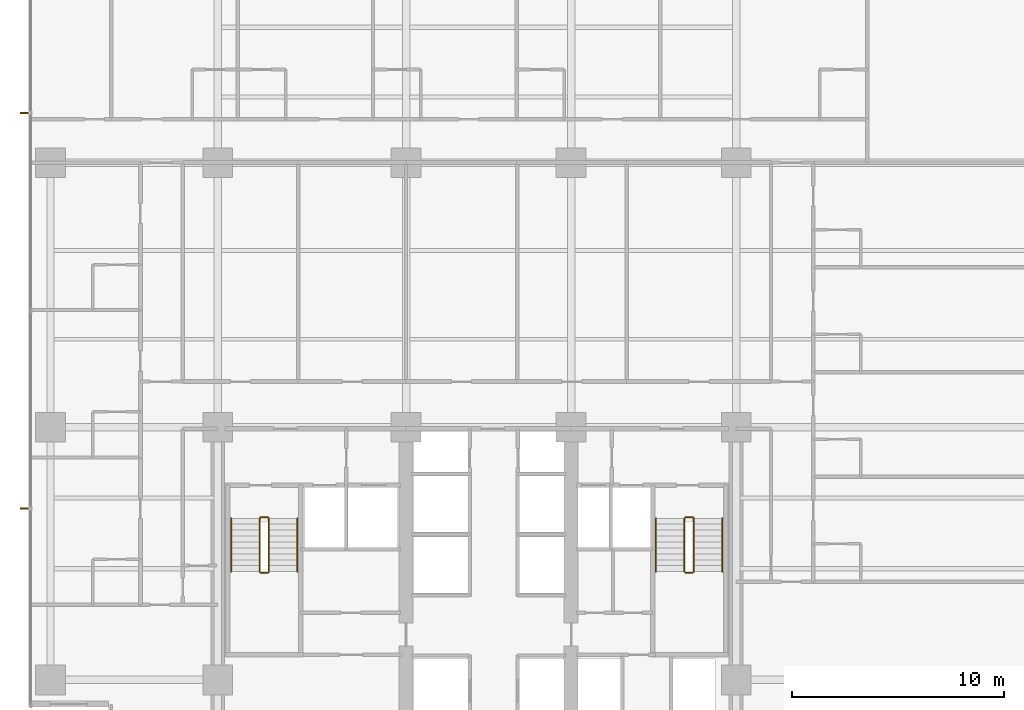
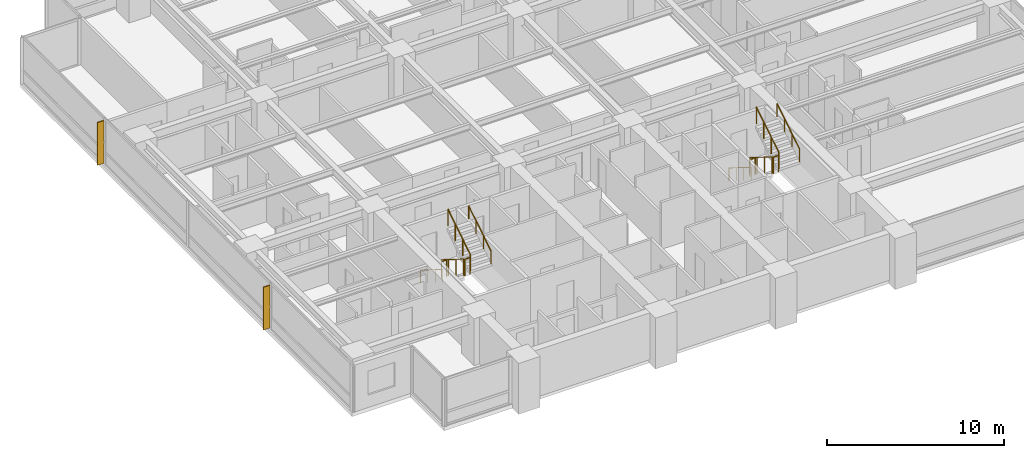
# One storey, part 15 of 16: 12 railings, 2 shading devices.
"""IFC4 building model written with IfcOpenShell, lengths in metres."""

from ifc_helpers import new_model, si_unit, direction, frame, origin, origin_2d, place, context, subcontext, project, spatial, polyline, circle, outline, extrude, material, layer, layer_set, type_object, element, save


model = new_model("IFC4")

# Units and contexts
model_context = context("Model", 3, precision=1e-05, world=origin(), true_north=direction((0.0, 1.0)))
body_context = subcontext(model_context, "Body", "Model", "MODEL_VIEW")
ifc_project = project(units=[si_unit("LENGTHUNIT", "METRE"), si_unit("AREAUNIT", "SQUARE_METRE"), si_unit("VOLUMEUNIT", "CUBIC_METRE"), si_unit("PLANEANGLEUNIT", "RADIAN"), si_unit("MASSUNIT", "GRAM", prefix="KILO")], contexts=[model_context])

# Site, building, storey
site_placement = place(None, origin())
site = spatial("IfcSite", under=ifc_project, at=site_placement, CompositionType="ELEMENT")
building_placement = place(site_placement, origin())
building = spatial("IfcBuilding", under=site, at=building_placement, Name="Qalmaran Belvedere Hotel", CompositionType="ELEMENT")
storey_placement = place(building_placement, frame((0.0, 0.0, 36.89990234375)))
storey = spatial("IfcBuildingStorey", under=building, at=storey_placement, Name="L08", CompositionType="ELEMENT", Elevation=36.89990234375)

# Shading devices
ifc_material_1 = material(Name="Anodised Bronze Aluminium", Category="aluminium")
ifc_layer = layer(ifc_material_1, 0.06494140625, Name="Anodised Bronze Aluminium")
ifc_layer_set = layer_set([ifc_layer], Name="Anodised Bronze Aluminium")
shading_device_type = type_object("IfcShadingDeviceType", Name="FIN-BRNZ-420", PredefinedType="USERDEFINED", material=ifc_layer_set)
shading_device_1_placement = place(storey_placement, frame((0.0, 0.0, 0.16015625)))
element("IfcShadingDevice", 1, at=shading_device_1_placement, inside=storey, type_object=shading_device_type, Name="L08 Bronze Fin 1", ObjectType="FIN", PredefinedType="USERDEFINED", context=body_context, shape_type="SweptSolid", body=[
    extrude(outline(polyline([(11.37744140625, 35.382568359375), (10.95751953125, 35.382568359375), (10.95751953125, 35.3173828125), (11.37744140625, 35.3173828125), (11.37744140625, 35.382568359375)])), origin(), (0.0, 0.0, 1.0), 2.93994140625),
])
shading_device_2_placement = place(storey_placement, frame((0.0, 0.0, 0.16015625)))
element("IfcShadingDevice", 2, at=shading_device_2_placement, inside=storey, type_object=shading_device_type, Name="L08 Bronze Fin 3", ObjectType="FIN", PredefinedType="USERDEFINED", context=body_context, shape_type="SweptSolid", body=[
    extrude(outline(polyline([(11.37744140625, 16.6826171875), (10.95751953125, 16.6826171875), (10.95751953125, 16.617431640625), (11.37744140625, 16.617431640625), (11.37744140625, 16.6826171875)])), origin(), (0.0, 0.0, 1.0), 2.93994140625),
])

# Railings
ifc_material_2 = material(Name="Stainless Steel 1.4401", Category="steel")
railing_type_1 = type_object("IfcRailingType", Name="RLG-STAIR-GUARD-1150", PredefinedType="GUARDRAIL", material=ifc_material_2)
railing_1_placement = place(storey_placement, frame((22.280029296875, 16.18994140625, 0.175048828125)))
element("IfcRailing", 3, at=railing_1_placement, inside=storey, type_object=railing_type_1, Name="L08 ST-1 stair guard 1", PredefinedType="GUARDRAIL", context=body_context, shape_type="SweptSolid", body=[
    extrude(circle(Radius=0.02392578125, at=origin_2d()), frame((0.0, 0.0, 1.1259765625), z_axis=(0.0, -0.848007534815, 0.529984170421), x_axis=(1.0, 0.0, 0.0)), (0.0, 0.0, 1.0), 2.9716796875),
    extrude(circle(Radius=0.02099609375, at=origin_2d()), origin(), (0.0, 0.0, 1.0), 1.101806640625),
    extrude(circle(Radius=0.02099609375, at=origin_2d()), frame((0.0, -0.840087890625, 0.52490234375)), (0.0, 0.0, 1.0), 1.101806640625),
    extrude(circle(Radius=0.02099609375, at=origin_2d()), frame((0.0, -1.679931640625, 1.050048828125)), (0.0, 0.0, 1.0), 1.101806640625),
    extrude(circle(Radius=0.02099609375, at=origin_2d()), frame((0.0, -2.52001953125, 1.574951171875)), (0.0, 0.0, 1.0), 1.101806640625),
])
railing_2_placement = place(storey_placement, frame((22.330078125, 13.6201171875, 1.75)))
element("IfcRailing", 4, at=railing_2_placement, inside=storey, type_object=railing_type_1, Name="L08 ST-1 stair guard 2", PredefinedType="GUARDRAIL", context=body_context, shape_type="SweptSolid", body=[
    extrude(circle(Radius=0.02392578125, at=origin_2d()), frame((0.0, 0.0, 1.1259765625), z_axis=(1.0, 0.0, 0.0), x_axis=(0.0, 1.0, 0.0)), (0.0, 0.0, 1.0), 0.33984375),
    extrude(circle(Radius=0.02099609375, at=origin_2d()), origin(), (0.0, 0.0, 1.0), 1.101806640625),
    extrude(circle(Radius=0.02099609375, at=origin_2d()), frame((0.33984375, 0.0, 0.0)), (0.0, 0.0, 1.0), 1.101806640625),
])
railing_3_placement = place(storey_placement, frame((22.719970703125, 13.669921875, 1.925048828125)))
element("IfcRailing", 5, at=railing_3_placement, inside=storey, type_object=railing_type_1, Name="L08 ST-1 stair guard 3", PredefinedType="GUARDRAIL", context=body_context, shape_type="SweptSolid", body=[
    extrude(circle(Radius=0.02392578125, at=origin_2d()), frame((0.0, 0.0, 1.1259765625), z_axis=(0.0, 0.848007534815, 0.529984170421), x_axis=(-1.0, 0.0, 0.0)), (0.0, 0.0, 1.0), 2.9716796875),
    extrude(circle(Radius=0.02099609375, at=origin_2d()), origin(), (0.0, 0.0, 1.0), 1.101806640625),
    extrude(circle(Radius=0.02099609375, at=origin_2d()), frame((0.0, 0.840087890625, 0.52490234375)), (0.0, 0.0, 1.0), 1.101806640625),
    extrude(circle(Radius=0.02099609375, at=origin_2d()), frame((0.0, 1.679931640625, 1.050048828125)), (0.0, 0.0, 1.0), 1.101806640625),
    extrude(circle(Radius=0.02099609375, at=origin_2d()), frame((0.0, 2.52001953125, 1.574951171875)), (0.0, 0.0, 1.0), 1.101806640625),
])
railing_4_placement = place(storey_placement, frame((22.330078125, 16.239990234375, 0.0)))
element("IfcRailing", 6, at=railing_4_placement, inside=storey, type_object=railing_type_1, Name="L08 ST-1 stair guard 4", PredefinedType="GUARDRAIL", context=body_context, shape_type="SweptSolid", body=[
    extrude(circle(Radius=0.02392578125, at=origin_2d()), frame((0.0, 0.0, 1.1259765625), z_axis=(1.0, 0.0, 0.0), x_axis=(0.0, 1.0, 0.0)), (0.0, 0.0, 1.0), 0.33984375),
    extrude(circle(Radius=0.02099609375, at=origin_2d()), origin(), (0.0, 0.0, 1.0), 1.101806640625),
    extrude(circle(Radius=0.02099609375, at=origin_2d()), frame((0.33984375, 0.0, 0.0)), (0.0, 0.0, 1.0), 1.101806640625),
])
railing_5_placement = place(storey_placement, frame((42.360107421875, 16.18994140625, 0.175048828125)))
element("IfcRailing", 7, at=railing_5_placement, inside=storey, type_object=railing_type_1, Name="L08 ST-2 stair guard 1", PredefinedType="GUARDRAIL", context=body_context, shape_type="SweptSolid", body=[
    extrude(circle(Radius=0.02392578125, at=origin_2d()), frame((0.0, 0.0, 1.1259765625), z_axis=(0.0, -0.848007534815, 0.529984170421), x_axis=(1.0, 0.0, 0.0)), (0.0, 0.0, 1.0), 2.9716796875),
    extrude(circle(Radius=0.02099609375, at=origin_2d()), origin(), (0.0, 0.0, 1.0), 1.101806640625),
    extrude(circle(Radius=0.02099609375, at=origin_2d()), frame((0.0, -0.840087890625, 0.52490234375)), (0.0, 0.0, 1.0), 1.101806640625),
    extrude(circle(Radius=0.02099609375, at=origin_2d()), frame((0.0, -1.679931640625, 1.050048828125)), (0.0, 0.0, 1.0), 1.101806640625),
    extrude(circle(Radius=0.02099609375, at=origin_2d()), frame((0.0, -2.52001953125, 1.574951171875)), (0.0, 0.0, 1.0), 1.101806640625),
])
railing_6_placement = place(storey_placement, frame((42.409912109375, 13.6201171875, 1.75)))
element("IfcRailing", 8, at=railing_6_placement, inside=storey, type_object=railing_type_1, Name="L08 ST-2 stair guard 2", PredefinedType="GUARDRAIL", context=body_context, shape_type="SweptSolid", body=[
    extrude(circle(Radius=0.02392578125, at=origin_2d()), frame((0.0, 0.0, 1.1259765625), z_axis=(1.0, 0.0, 0.0), x_axis=(0.0, 1.0, 0.0)), (0.0, 0.0, 1.0), 0.340087890625),
    extrude(circle(Radius=0.02099609375, at=origin_2d()), origin(), (0.0, 0.0, 1.0), 1.101806640625),
    extrude(circle(Radius=0.02099609375, at=origin_2d()), frame((0.340087890625, 0.0, 0.0)), (0.0, 0.0, 1.0), 1.101806640625),
])
railing_7_placement = place(storey_placement, frame((42.800048828125, 13.669921875, 1.925048828125)))
element("IfcRailing", 9, at=railing_7_placement, inside=storey, type_object=railing_type_1, Name="L08 ST-2 stair guard 3", PredefinedType="GUARDRAIL", context=body_context, shape_type="SweptSolid", body=[
    extrude(circle(Radius=0.02392578125, at=origin_2d()), frame((0.0, 0.0, 1.1259765625), z_axis=(0.0, 0.848007534815, 0.529984170421), x_axis=(-1.0, 0.0, 0.0)), (0.0, 0.0, 1.0), 2.9716796875),
    extrude(circle(Radius=0.02099609375, at=origin_2d()), origin(), (0.0, 0.0, 1.0), 1.101806640625),
    extrude(circle(Radius=0.02099609375, at=origin_2d()), frame((0.0, 0.840087890625, 0.52490234375)), (0.0, 0.0, 1.0), 1.101806640625),
    extrude(circle(Radius=0.02099609375, at=origin_2d()), frame((0.0, 1.679931640625, 1.050048828125)), (0.0, 0.0, 1.0), 1.101806640625),
    extrude(circle(Radius=0.02099609375, at=origin_2d()), frame((0.0, 2.52001953125, 1.574951171875)), (0.0, 0.0, 1.0), 1.101806640625),
])
railing_8_placement = place(storey_placement, frame((42.409912109375, 16.239990234375, 0.0)))
element("IfcRailing", 10, at=railing_8_placement, inside=storey, type_object=railing_type_1, Name="L08 ST-2 stair guard 4", PredefinedType="GUARDRAIL", context=body_context, shape_type="SweptSolid", body=[
    extrude(circle(Radius=0.02392578125, at=origin_2d()), frame((0.0, 0.0, 1.1259765625), z_axis=(1.0, 0.0, 0.0), x_axis=(0.0, 1.0, 0.0)), (0.0, 0.0, 1.0), 0.340087890625),
    extrude(circle(Radius=0.02099609375, at=origin_2d()), origin(), (0.0, 0.0, 1.0), 1.101806640625),
    extrude(circle(Radius=0.02099609375, at=origin_2d()), frame((0.340087890625, 0.0, 0.0)), (0.0, 0.0, 1.0), 1.101806640625),
])
railing_type_2 = type_object("IfcRailingType", Name="RLG-STAIR-HAND-910", PredefinedType="HANDRAIL", material=ifc_material_2)
railing_9_placement = place(storey_placement, frame((20.929931640625, 16.18994140625, 0.175048828125)))
element("IfcRailing", 11, at=railing_9_placement, inside=storey, type_object=railing_type_2, Name="L08 ST-1 stair handrail 1", PredefinedType="HANDRAIL", context=body_context, shape_type="SweptSolid", body=[
    extrude(circle(Radius=0.02392578125, at=origin_2d()), frame((0.0, 0.0, 0.8857421875), z_axis=(0.0, -0.848007534815, 0.529984170421), x_axis=(1.0, 0.0, 0.0)), (0.0, 0.0, 1.0), 2.9716796875),
    extrude(circle(Radius=0.02099609375, at=origin_2d()), origin(), (0.0, 0.0, 1.0), 0.86181640625),
    extrude(circle(Radius=0.02099609375, at=origin_2d()), frame((0.0, -0.840087890625, 0.52490234375)), (0.0, 0.0, 1.0), 0.86181640625),
    extrude(circle(Radius=0.02099609375, at=origin_2d()), frame((0.0, -1.679931640625, 1.050048828125)), (0.0, 0.0, 1.0), 0.86181640625),
    extrude(circle(Radius=0.02099609375, at=origin_2d()), frame((0.0, -2.52001953125, 1.574951171875)), (0.0, 0.0, 1.0), 0.86181640625),
])
railing_10_placement = place(storey_placement, frame((24.070068359375, 13.669921875, 1.925048828125)))
element("IfcRailing", 12, at=railing_10_placement, inside=storey, type_object=railing_type_2, Name="L08 ST-1 stair handrail 2", PredefinedType="HANDRAIL", context=body_context, shape_type="SweptSolid", body=[
    extrude(circle(Radius=0.02392578125, at=origin_2d()), frame((0.0, 0.0, 0.8857421875), z_axis=(0.0, 0.848007534815, 0.529984170421), x_axis=(-1.0, 0.0, 0.0)), (0.0, 0.0, 1.0), 2.9716796875),
    extrude(circle(Radius=0.02099609375, at=origin_2d()), origin(), (0.0, 0.0, 1.0), 0.86181640625),
    extrude(circle(Radius=0.02099609375, at=origin_2d()), frame((0.0, 0.840087890625, 0.52490234375)), (0.0, 0.0, 1.0), 0.86181640625),
    extrude(circle(Radius=0.02099609375, at=origin_2d()), frame((0.0, 1.679931640625, 1.050048828125)), (0.0, 0.0, 1.0), 0.86181640625),
    extrude(circle(Radius=0.02099609375, at=origin_2d()), frame((0.0, 2.52001953125, 1.574951171875)), (0.0, 0.0, 1.0), 0.86181640625),
])
railing_11_placement = place(storey_placement, frame((41.010009765625, 16.18994140625, 0.175048828125)))
element("IfcRailing", 13, at=railing_11_placement, inside=storey, type_object=railing_type_2, Name="L08 ST-2 stair handrail 1", PredefinedType="HANDRAIL", context=body_context, shape_type="SweptSolid", body=[
    extrude(circle(Radius=0.02392578125, at=origin_2d()), frame((0.0, 0.0, 0.8857421875), z_axis=(0.0, -0.848007534815, 0.529984170421), x_axis=(1.0, 0.0, 0.0)), (0.0, 0.0, 1.0), 2.9716796875),
    extrude(circle(Radius=0.02099609375, at=origin_2d()), origin(), (0.0, 0.0, 1.0), 0.86181640625),
    extrude(circle(Radius=0.02099609375, at=origin_2d()), frame((0.0, -0.840087890625, 0.52490234375)), (0.0, 0.0, 1.0), 0.86181640625),
    extrude(circle(Radius=0.02099609375, at=origin_2d()), frame((0.0, -1.679931640625, 1.050048828125)), (0.0, 0.0, 1.0), 0.86181640625),
    extrude(circle(Radius=0.02099609375, at=origin_2d()), frame((0.0, -2.52001953125, 1.574951171875)), (0.0, 0.0, 1.0), 0.86181640625),
])
railing_12_placement = place(storey_placement, frame((44.14990234375, 13.669921875, 1.925048828125)))
element("IfcRailing", 14, at=railing_12_placement, inside=storey, type_object=railing_type_2, Name="L08 ST-2 stair handrail 2", PredefinedType="HANDRAIL", context=body_context, shape_type="SweptSolid", body=[
    extrude(circle(Radius=0.02392578125, at=origin_2d()), frame((0.0, 0.0, 0.8857421875), z_axis=(0.0, 0.848007534815, 0.529984170421), x_axis=(-1.0, 0.0, 0.0)), (0.0, 0.0, 1.0), 2.9716796875),
    extrude(circle(Radius=0.02099609375, at=origin_2d()), origin(), (0.0, 0.0, 1.0), 0.86181640625),
    extrude(circle(Radius=0.02099609375, at=origin_2d()), frame((0.0, 0.840087890625, 0.52490234375)), (0.0, 0.0, 1.0), 0.86181640625),
    extrude(circle(Radius=0.02099609375, at=origin_2d()), frame((0.0, 1.679931640625, 1.050048828125)), (0.0, 0.0, 1.0), 0.86181640625),
    extrude(circle(Radius=0.02099609375, at=origin_2d()), frame((0.0, 2.52001953125, 1.574951171875)), (0.0, 0.0, 1.0), 0.86181640625),
])

save(model, "model.ifc")
